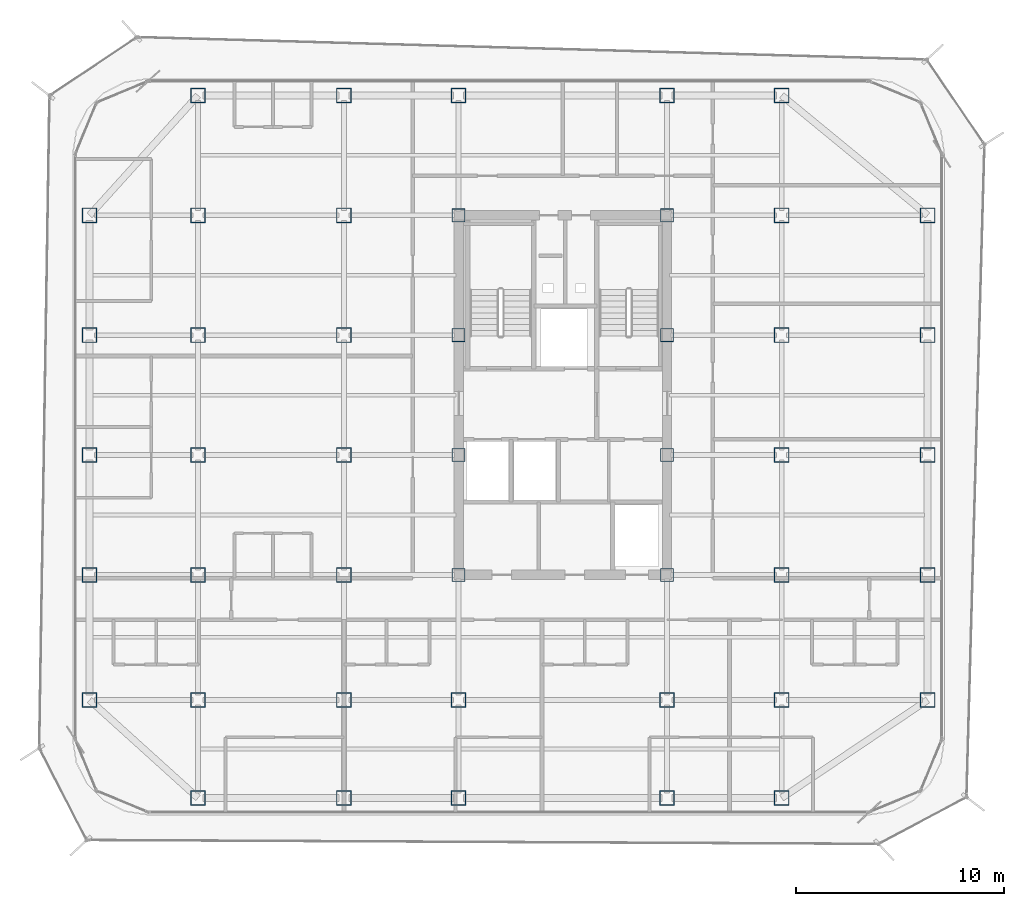
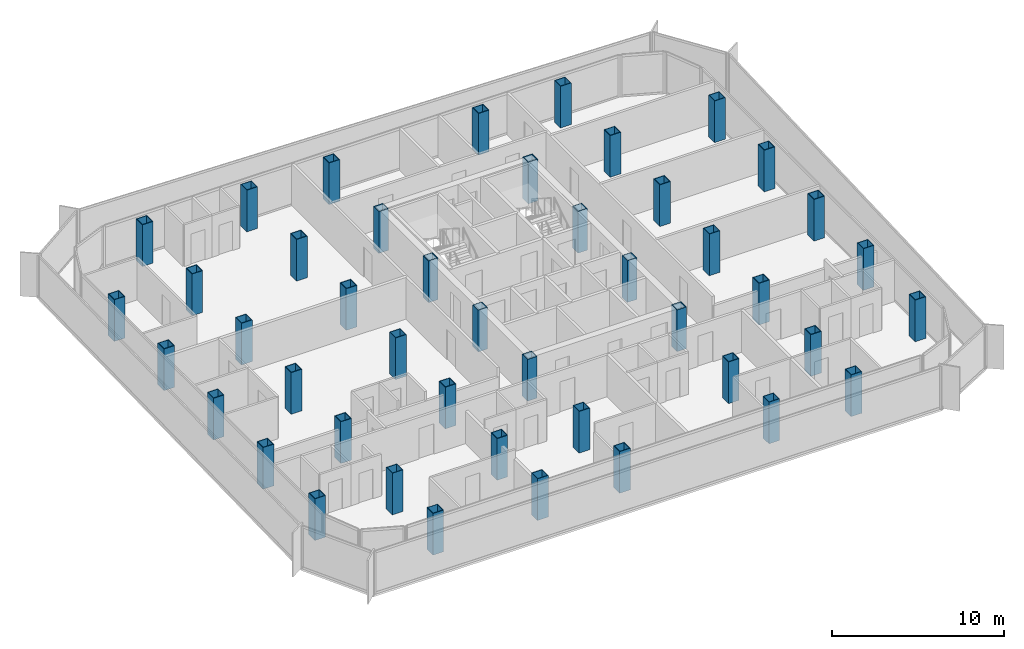
# One storey, part 1 of 16: 45 columns.
"""IFC4 building model written with IfcOpenShell, lengths in metres."""

from ifc_helpers import new_model, si_unit, direction, frame, origin, origin_2d, place, context, subcontext, project, spatial, hollow_rectangle, extrude, source, transform, mapped, material, material_profile, profile_set, type_object, element, save


model = new_model("IFC4")

# Units and contexts
model_context = context("Model", 3, precision=1e-05, world=origin(), true_north=direction((0.0, 1.0)))
body_context = subcontext(model_context, "Body", "Model", "MODEL_VIEW")
ifc_project = project(units=[si_unit("LENGTHUNIT", "METRE"), si_unit("AREAUNIT", "SQUARE_METRE"), si_unit("VOLUMEUNIT", "CUBIC_METRE"), si_unit("PLANEANGLEUNIT", "RADIAN"), si_unit("MASSUNIT", "GRAM", prefix="KILO")], contexts=[model_context])

# Site, building, storey
site_placement = place(None, origin())
site = spatial("IfcSite", under=ifc_project, at=site_placement, CompositionType="ELEMENT")
building_placement = place(site_placement, origin())
building = spatial("IfcBuilding", under=site, at=building_placement, Name="Kolveth Station Tower", CompositionType="ELEMENT")
storey_placement = place(building_placement, frame((0.0, 0.0, 209.199951171875)))
storey = spatial("IfcBuildingStorey", under=building, at=storey_placement, Name="L59", CompositionType="ELEMENT", Elevation=209.199951171875)

# Columns
ifc_material = material(Name="Steel S355", Category="steel")
ifc_material_profile_1 = material_profile(ifc_material, hollow_rectangle(XDim=0.719970703125, YDim=0.719970703125, WallThickness=0.0400390625, at=origin_2d()), Name="BOX720x720x40")
ifc_profile_set_1 = profile_set([ifc_material_profile_1], Name="Steel S355")
column_type_1 = type_object("IfcColumnType", Name="Col_C6", PredefinedType="COLUMN", material=ifc_profile_set_1)
shared_shape_1 = source(origin(), body_context, "Body", "SweptSolid", [
    extrude(hollow_rectangle(XDim=0.719970703125, YDim=0.719970703125, WallThickness=0.0400390625, at=origin_2d()), origin(), (0.0, 0.0, 1.0), 2.949951171875),
])
for number, where, z_axis, x_axis, name in (
    (1, (6.0, 0.800048828125, 0.0), (0.0, 0.0, 1.0), (1.0, 0.0, 0.0), "L59 Tower Column S-X60"),
    (2, (6.0, 34.5, 0.0), (0.0, 0.0, 1.0), (1.0, 0.0, 0.0), "L59 Tower Column N-X60"),
    (3, (13.0, 0.800048828125, 0.0), (0.0, 0.0, 1.0), (1.0, 0.0, 0.0), "L59 Tower Column S-X130"),
    (4, (13.0, 34.5, 0.0), (0.0, 0.0, 1.0), (1.0, 0.0, 0.0), "L59 Tower Column N-X130"),
    (5, (18.5, 0.800048828125, 0.0), (0.0, 0.0, 1.0), (1.0, 0.0, 0.0), "L59 Tower Column S-X185"),
    (6, (18.5, 34.5, 0.0), (0.0, 0.0, 1.0), (1.0, 0.0, 0.0), "L59 Tower Column N-X185"),
    (7, (28.5, 0.800048828125, 0.0), (0.0, 0.0, 1.0), (1.0, 0.0, 0.0), "L59 Tower Column S-X285"),
    (8, (28.5, 34.5, 0.0), (0.0, 0.0, 1.0), (1.0, 0.0, 0.0), "L59 Tower Column N-X285"),
    (9, (34.0, 0.800048828125, 0.0), (0.0, 0.0, 1.0), (1.0, 0.0, 0.0), "L59 Tower Column S-X340"),
    (10, (34.0, 34.5, 0.0), (0.0, 0.0, 1.0), (1.0, 0.0, 0.0), "L59 Tower Column N-X340"),
    (11, (0.800048828125, 5.5, 0.0), (0.0, 0.0, 1.0), (1.0, 0.0, 0.0), "L59 Tower Column W-Y55"),
    (12, (41.0, 5.5, 0.0), (0.0, 0.0, 1.0), (1.0, 0.0, 0.0), "L59 Tower Column E-Y55"),
    (13, (0.800048828125, 11.5, 0.0), (0.0, 0.0, 1.0), (1.0, 0.0, 0.0), "L59 Tower Column W-Y115"),
    (14, (41.0, 11.5, 0.0), (0.0, 0.0, 1.0), (1.0, 0.0, 0.0), "L59 Tower Column E-Y115"),
    (15, (0.800048828125, 17.25, 0.0), (0.0, 0.0, 1.0), (1.0, 0.0, 0.0), "L59 Tower Column W-Y172"),
    (16, (41.0, 17.25, 0.0), (0.0, 0.0, 1.0), (1.0, 0.0, 0.0), "L59 Tower Column E-Y172"),
    (17, (0.800048828125, 23.0, 0.0), (0.0, 0.0, 1.0), (1.0, 0.0, 0.0), "L59 Tower Column W-Y230"),
    (18, (41.0, 23.0, 0.0), (0.0, 0.0, 1.0), (1.0, 0.0, 0.0), "L59 Tower Column E-Y230"),
    (19, (0.800048828125, 28.75, 0.0), (0.0, 0.0, 1.0), (1.0, 0.0, 0.0), "L59 Tower Column W-Y287"),
    (20, (41.0, 28.75, 0.0), (0.0, 0.0, 1.0), (1.0, 0.0, 0.0), "L59 Tower Column E-Y287"),
    (21, (6.0, 5.5, 0.0), (0.0, 0.0, 1.0), (1.0, 0.0, 0.0), "L59 Tower Column G-60-55"),
    (22, (6.0, 11.5, 0.0), (0.0, 0.0, 1.0), (1.0, 0.0, 0.0), "L59 Tower Column G-60-115"),
    (23, (6.0, 17.25, 0.0), (0.0, 0.0, 1.0), (1.0, 0.0, 0.0), "L59 Tower Column G-60-172"),
    (24, (6.0, 23.0, 0.0), (0.0, 0.0, 1.0), (1.0, 0.0, 0.0), "L59 Tower Column G-60-230"),
    (25, (6.0, 28.75, 0.0), (0.0, 0.0, 1.0), (1.0, 0.0, 0.0), "L59 Tower Column G-60-287"),
    (26, (13.0, 5.5, 0.0), (0.0, 0.0, 1.0), (1.0, 0.0, 0.0), "L59 Tower Column G-130-55"),
    (27, (13.0, 11.5, 0.0), (0.0, 0.0, 1.0), (1.0, 0.0, 0.0), "L59 Tower Column G-130-115"),
    (28, (13.0, 17.25, 0.0), (0.0, 0.0, 1.0), (1.0, 0.0, 0.0), "L59 Tower Column G-130-172"),
    (29, (13.0, 23.0, 0.0), (0.0, 0.0, 1.0), (1.0, 0.0, 0.0), "L59 Tower Column G-130-230"),
    (30, (13.0, 28.75, 0.0), (0.0, 0.0, 1.0), (1.0, 0.0, 0.0), "L59 Tower Column G-130-287"),
    (31, (18.5, 5.5, 0.0), (0.0, 0.0, 1.0), (1.0, 0.0, 0.0), "L59 Tower Column G-185-55"),
    (32, (28.5, 5.5, 0.0), (0.0, 0.0, 1.0), (1.0, 0.0, 0.0), "L59 Tower Column G-285-55"),
    (33, (34.0, 5.5, 0.0), (0.0, 0.0, 1.0), (1.0, 0.0, 0.0), "L59 Tower Column G-340-55"),
    (34, (34.0, 11.5, 0.0), (0.0, 0.0, 1.0), (1.0, 0.0, 0.0), "L59 Tower Column G-340-115"),
    (35, (34.0, 17.25, 0.0), (0.0, 0.0, 1.0), (1.0, 0.0, 0.0), "L59 Tower Column G-340-172"),
    (36, (34.0, 23.0, 0.0), (0.0, 0.0, 1.0), (1.0, 0.0, 0.0), "L59 Tower Column G-340-230"),
    (37, (34.0, 28.75, 0.0), (0.0, 0.0, 1.0), (1.0, 0.0, 0.0), "L59 Tower Column G-340-287"),
):
    element("IfcColumn", number, at=place(storey_placement, frame(where, z_axis=z_axis, x_axis=x_axis)), inside=storey, type_object=column_type_1, Name=name, PredefinedType="COLUMN", context=body_context, shape_type="MappedRepresentation", body=[
        mapped(shared_shape_1, transform((0.0, 0.0, 0.0), x_axis=(1.0, 0.0, 0.0), y_axis=(0.0, 1.0, 0.0), z_axis=(0.0, 0.0, 1.0), scale=1.0)),
    ])
ifc_material_profile_2 = material_profile(ifc_material, hollow_rectangle(XDim=0.639892578125, YDim=0.639892578125, WallThickness=0.034912109375, at=origin_2d()), Name="BOX640x640x35")
ifc_profile_set_2 = profile_set([ifc_material_profile_2], Name="Steel S355")
column_type_2 = type_object("IfcColumnType", Name="Col_C7", PredefinedType="COLUMN", material=ifc_profile_set_2)
shared_shape_2 = source(origin(), body_context, "Body", "SweptSolid", [
    extrude(hollow_rectangle(XDim=0.639892578125, YDim=0.639892578125, WallThickness=0.034912109375, at=origin_2d()), origin(), (0.0, 0.0, 1.0), 2.949951171875),
])
for number, where, z_axis, x_axis, name in (
    (38, (18.5, 11.5, 0.0), (0.0, 0.0, 1.0), (1.0, 0.0, 0.0), "L59 Tower Column G-185-115"),
    (39, (18.5, 17.25, 0.0), (0.0, 0.0, 1.0), (1.0, 0.0, 0.0), "L59 Tower Column G-185-172"),
    (40, (18.5, 23.0, 0.0), (0.0, 0.0, 1.0), (1.0, 0.0, 0.0), "L59 Tower Column G-185-230"),
    (41, (18.5, 28.75, 0.0), (0.0, 0.0, 1.0), (1.0, 0.0, 0.0), "L59 Tower Column G-185-287"),
    (42, (28.5, 11.5, 0.0), (0.0, 0.0, 1.0), (1.0, 0.0, 0.0), "L59 Tower Column G-285-115"),
    (43, (28.5, 17.25, 0.0), (0.0, 0.0, 1.0), (1.0, 0.0, 0.0), "L59 Tower Column G-285-172"),
    (44, (28.5, 23.0, 0.0), (0.0, 0.0, 1.0), (1.0, 0.0, 0.0), "L59 Tower Column G-285-230"),
    (45, (28.5, 28.75, 0.0), (0.0, 0.0, 1.0), (1.0, 0.0, 0.0), "L59 Tower Column G-285-287"),
):
    element("IfcColumn", number, at=place(storey_placement, frame(where, z_axis=z_axis, x_axis=x_axis)), inside=storey, type_object=column_type_2, Name=name, PredefinedType="COLUMN", context=body_context, shape_type="MappedRepresentation", body=[
        mapped(shared_shape_2, transform((0.0, 0.0, 0.0), x_axis=(1.0, 0.0, 0.0), y_axis=(0.0, 1.0, 0.0), z_axis=(0.0, 0.0, 1.0), scale=1.0)),
    ])

save(model, "model.ifc")
